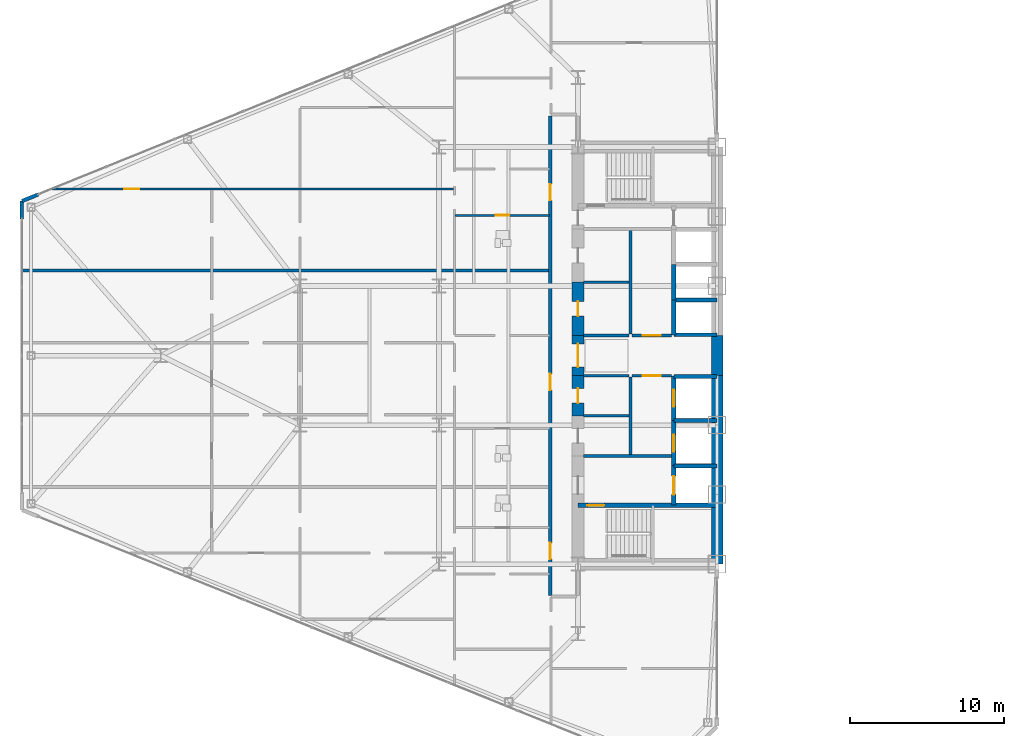
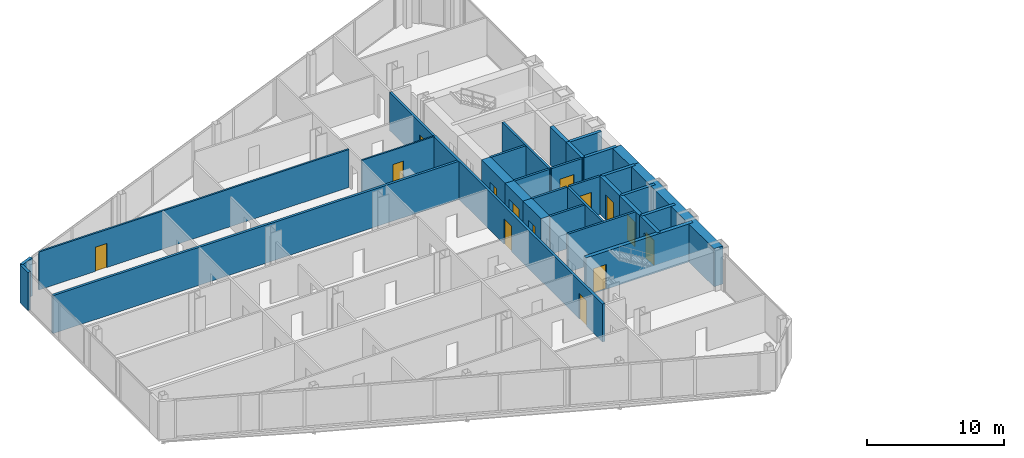
# One storey, part 18 of 25: 31 walls, 14 doors, 14 openings.
"""IFC4 building model written with IfcOpenShell, lengths in metres."""

import ifcopenshell
import ifcopenshell.guid

model = None  # the IFC model being written
_history = None  # IfcOwnerHistory: only IFC2X3 demands one
_inside = {}  # id of a spatial element -> (the spatial element, [elements in it])
_under = {}  # id of a project, library or spatial element -> (it, [spatial elements below it])
_declared = {}  # id of a project -> (the project, [libraries it declares])
_typed = {}  # id of a type object -> (the type object, [elements of that type])
_made_of = {}  # id of a material, layer set ... -> (it, [elements and type objects made of it])


def new_model(schema):
    """Start an empty IFC model of exactly this schema.

    Asked for "IFC4X3", IfcOpenShell would pick the latest addendum, in which some entities
    have other attributes; the version numbers below select the first issue.
    IFC2X3 requires an IfcOwnerHistory on every rooted entity: one is made here for all.
    """
    global model, _history
    if schema == "IFC4X3":
        model = ifcopenshell.file(schema_version=(4, 3, 0, 0))
    else:
        model = ifcopenshell.file(schema=schema)
    _inside.clear()
    _under.clear()
    _declared.clear()
    _typed.clear()
    _made_of.clear()
    _history = None
    if model.schema == "IFC2X3":
        org = make("IfcOrganization", Name="unknown")
        user = make(
            "IfcPersonAndOrganization",
            ThePerson=make("IfcPerson", FamilyName="unknown"),
            TheOrganization=org,
        )
        app = make(
            "IfcApplication",
            ApplicationDeveloper=org,
            Version="unknown",
            ApplicationFullName="unknown",
            ApplicationIdentifier="unknown",
        )
        _history = make(
            "IfcOwnerHistory",
            OwningUser=user,
            OwningApplication=app,
            ChangeAction="ADDED",
            CreationDate=0,
        )
    return model


def make(cls, **values):
    """One entity of the class cls with the attributes given. An attribute that is None is left unset."""
    return model.create_entity(
        cls, **{name: value for name, value in values.items() if value is not None}
    )


def rooted(cls, **values):
    """An entity with a GlobalId (a new one), such as an element, a storey or a relation."""
    return make(cls, GlobalId=ifcopenshell.guid.new(), OwnerHistory=_history, **values)


def si_unit(unit_type, name, prefix=None):
    """IfcSIUnit, for example si_unit("LENGTHUNIT", "METRE", prefix="MILLI")."""
    return make("IfcSIUnit", UnitType=unit_type, Prefix=prefix, Name=name)


def assignment(units):
    """IfcUnitAssignment: the units of a project."""
    return None if units is None else make("IfcUnitAssignment", Units=units)


def point(xyz):
    """IfcCartesianPoint."""
    return None if xyz is None else make("IfcCartesianPoint", Coordinates=xyz)


def direction(xyz):
    """IfcDirection."""
    return None if xyz is None else make("IfcDirection", DirectionRatios=xyz)


def frame(location, z_axis=None, x_axis=None):
    """IfcAxis2Placement3D, a coordinate frame: its origin and axes. An axis left out is left unset."""
    return make(
        "IfcAxis2Placement3D",
        Location=point(location),
        Axis=direction(z_axis),
        RefDirection=direction(x_axis),
    )


def frame_2d(location, x_axis=None):
    """IfcAxis2Placement2D, a coordinate frame in the plane: its origin and x axis."""
    return make(
        "IfcAxis2Placement2D", Location=point(location), RefDirection=direction(x_axis)
    )


def origin():
    """The frame at (0, 0, 0) with its axes left unset."""
    return frame((0.0, 0.0, 0.0))


def place(relative_to, where):
    """IfcLocalPlacement: puts the frame where relative to a parent placement (None: the world)."""
    return make(
        "IfcLocalPlacement", PlacementRelTo=relative_to, RelativePlacement=where
    )


def context(
    kind, dimensions, precision=None, world=None, true_north=None, identifier=None
):
    """IfcGeometricRepresentationContext, for example the 3D "Model" context."""
    return make(
        "IfcGeometricRepresentationContext",
        ContextIdentifier=identifier,
        ContextType=kind,
        CoordinateSpaceDimension=dimensions,
        Precision=precision,
        WorldCoordinateSystem=world,
        TrueNorth=true_north,
    )


def subcontext(parent, identifier, kind, view, scale=None):
    """IfcGeometricRepresentationSubContext, for example "Body" below "Model"."""
    return make(
        "IfcGeometricRepresentationSubContext",
        ContextIdentifier=identifier,
        ContextType=kind,
        ParentContext=parent,
        TargetScale=scale,
        TargetView=view,
    )


def project(units=None, contexts=None):
    """IfcProject with its units and contexts."""
    return rooted(
        "IfcProject",
        Name="project",
        RepresentationContexts=contexts,
        UnitsInContext=assignment(units),
    )


def spatial(cls, under=None, at=None, **own):
    """A site, building, storey or space (cls), placed at a placement, below another one or the project."""
    s = rooted(cls, ObjectPlacement=at, **own)
    if under is not None:
        _under.setdefault(under.id(), (under, []))[1].append(s)
    return s


def profile(cls, at=None, kind="AREA", **sizes):
    """A parametric profile (cls). Its sizes go by their IFC names, for example OverallWidth=200.0."""
    return make(cls, ProfileType=kind, Position=at, **sizes)


def rectangle(**sizes):
    """IfcRectangleProfileDef."""
    return profile("IfcRectangleProfileDef", **sizes)


def extrude(swept, where, along, depth):
    """IfcExtrudedAreaSolid: the profile swept, set in the frame where, extruded along a direction by depth."""
    return make(
        "IfcExtrudedAreaSolid",
        SweptArea=swept,
        Position=where,
        ExtrudedDirection=direction(along),
        Depth=depth,
    )


def shape(context_of_items, identifier, shape_type, items):
    """IfcShapeRepresentation: the items that make up one representation, for example the "Body"."""
    return make(
        "IfcShapeRepresentation",
        ContextOfItems=context_of_items,
        RepresentationIdentifier=identifier,
        RepresentationType=shape_type,
        Items=items,
    )


def source(mapping_origin, context_of_items, identifier, shape_type, items):
    """IfcRepresentationMap: a shape defined once, which mapped items show again and again."""
    return make(
        "IfcRepresentationMap",
        MappingOrigin=mapping_origin,
        MappedRepresentation=shape(context_of_items, identifier, shape_type, items),
    )


def transform(
    local_origin,
    x_axis=None,
    y_axis=None,
    z_axis=None,
    scale=None,
    scale2=None,
    scale3=None,
    uniform=True,
):
    """IfcCartesianTransformationOperator3D, or its non-uniform kind. x_axis, y_axis, z_axis: its Axis1, 2, 3."""
    if uniform:
        return make(
            "IfcCartesianTransformationOperator3D",
            Axis1=direction(x_axis),
            Axis2=direction(y_axis),
            LocalOrigin=point(local_origin),
            Scale=scale,
            Axis3=direction(z_axis),
        )
    return make(
        "IfcCartesianTransformationOperator3DnonUniform",
        Axis1=direction(x_axis),
        Axis2=direction(y_axis),
        LocalOrigin=point(local_origin),
        Scale=scale,
        Axis3=direction(z_axis),
        Scale2=scale2,
        Scale3=scale3,
    )


def mapped(mapping_source, mapping_target):
    """IfcMappedItem: shows the shape of a source again, moved by a transform."""
    return make(
        "IfcMappedItem", MappingSource=mapping_source, MappingTarget=mapping_target
    )


def material(Name=None, Category=None):
    """IfcMaterial."""
    return make("IfcMaterial", Name=Name, Category=Category)


def layer(
    of_material, thickness, ventilated=None, Name=None, Category=None, Priority=None
):
    """IfcMaterialLayer: one layer of a wall or slab, of a material (None: an air gap)."""
    return make(
        "IfcMaterialLayer",
        Material=of_material,
        LayerThickness=thickness,
        IsVentilated=ventilated,
        Name=Name,
        Category=Category,
        Priority=Priority,
    )


def layer_set(layers, Name=None):
    """IfcMaterialLayerSet."""
    return make("IfcMaterialLayerSet", MaterialLayers=layers, LayerSetName=Name)


def made_of(thing, what):
    """Note that an element or type object is made of a material, layer set ...; save() writes the relation."""
    if what is not None:
        _made_of.setdefault(what.id(), (what, []))[1].append(thing)
    return thing


def type_object(cls, material=None, **own):
    """A type object (cls), such as IfcWallType, which elements share."""
    return made_of(rooted(cls, **own), material)


def type_shapes(of_type, sources):
    """Give a type object the sources (RepresentationMaps) that its elements show as mapped items."""
    of_type.RepresentationMaps = sources


def element(
    cls,
    number,
    at=None,
    inside=None,
    cuts=None,
    type_object=None,
    material=None,
    context=None,
    identifier="Body",
    shape_type=None,
    held_by="IfcProductDefinitionShape",
    body=None,
    shapes=None,
    **own,
):
    """One element of the class cls, such as IfcWall. Its Tag is "e" and its number.

    at: its placement. inside: the storey or other place that contains it. cuts: it is an
    opening in that element (IfcRelVoidsElement). A single representation is given by context,
    identifier, shape_type and body (its items); several are given by shapes. held_by: the class
    of the entity that holds the representations. save() writes the other relations.
    """
    e = rooted(cls, Tag="e%d" % number, ObjectPlacement=at, **own)
    if body is not None:
        shapes = [shape(context, identifier, shape_type, body)]
    if shapes is not None:
        e.Representation = make(held_by, Representations=shapes)
    if inside is not None:
        _inside.setdefault(inside.id(), (inside, []))[1].append(e)
    if cuts is not None:
        rooted(
            "IfcRelVoidsElement", RelatingBuildingElement=cuts, RelatedOpeningElement=e
        )
    if type_object is not None:
        _typed.setdefault(type_object.id(), (type_object, []))[1].append(e)
    return made_of(e, material)


def fill(opening, filler):
    """IfcRelFillsElement: the door or window that sits in an opening."""
    return rooted(
        "IfcRelFillsElement",
        RelatingOpeningElement=opening,
        RelatedBuildingElement=filler,
    )


def aggregate(whole, parts):
    """IfcRelAggregates: a whole, such as a stair, and the parts it consists of."""
    return rooted("IfcRelAggregates", RelatingObject=whole, RelatedObjects=parts)


def save(model, path):
    """Write the relations noted so far, then the file.

    IfcRelAggregates (storeys below a building ...), IfcRelContainedInSpatialStructure (elements
    in a storey), IfcRelDefinesByType, IfcRelAssociatesMaterial and IfcRelDeclares: one each for
    every whole, place, type object, material and project.
    """
    for whole, parts in _under.values():
        aggregate(whole, parts)
    for where, things in _inside.values():
        rooted(
            "IfcRelContainedInSpatialStructure",
            RelatedElements=things,
            RelatingStructure=where,
        )
    for kind, things in _typed.values():
        rooted("IfcRelDefinesByType", RelatedObjects=things, RelatingType=kind)
    for what, things in _made_of.values():
        rooted("IfcRelAssociatesMaterial", RelatedObjects=things, RelatingMaterial=what)
    for by, libraries in _declared.values():
        rooted("IfcRelDeclares", RelatingContext=by, RelatedDefinitions=libraries)
    model.write(path)


model = new_model("IFC4")

# Units and contexts
model_context = context("Model", 3, precision=1e-05, world=origin(), true_north=direction((0.0, 1.0)))
body_context = subcontext(model_context, "Body", "Model", "MODEL_VIEW")
ifc_project = project(units=[si_unit("LENGTHUNIT", "METRE"), si_unit("AREAUNIT", "SQUARE_METRE"), si_unit("VOLUMEUNIT", "CUBIC_METRE"), si_unit("PLANEANGLEUNIT", "RADIAN"), si_unit("MASSUNIT", "GRAM", prefix="KILO")], contexts=[model_context])

# Site, building, storey
site_placement = place(None, origin())
site = spatial("IfcSite", under=ifc_project, at=site_placement, CompositionType="ELEMENT")
building_placement = place(site_placement, origin())
building = spatial("IfcBuilding", under=site, at=building_placement, Name="Seokmaru Belvedere", CompositionType="ELEMENT")
storey_placement = place(building_placement, frame((0.0, 0.0, 51.300048828125)))
storey = spatial("IfcBuildingStorey", under=building, at=storey_placement, Name="L13", CompositionType="ELEMENT", Elevation=51.300048828125)

# Wall, opening, door
ifc_material_1 = material(Name="Fire-Rated Gypsum Shaftwall")
ifc_layer_1 = layer(ifc_material_1, 0.14990234375)
ifc_layer_set_1 = layer_set([ifc_layer_1], Name="Fire-Rated Gypsum Shaftwall")
wall_type_1 = type_object("IfcWallType", Name="Apartment Fire-Acoustic Room Partition 150", PredefinedType="PARTITIONING", material=ifc_layer_set_1)
wall_1_placement = place(storey_placement, frame((-70.613037109375, 10.780029296875, 0.0), z_axis=(0.0, 0.0, 1.0), x_axis=(1.0, 0.0, 0.0)))
wall_1 = element("IfcWall", 1, at=wall_1_placement, inside=storey, type_object=wall_type_1, Name="L13 Interior Partition 026", PredefinedType="PARTITIONING", context=body_context, shape_type="SweptSolid", body=[
    extrude(rectangle(XDim=26.06298828125, YDim=0.14990234375, at=frame_2d((13.031494140625, 0.0))), origin(), (0.0, 0.0, 1.0), 3.3798828125),
])
opening_1_placement = place(wall_1_placement, frame((4.748779296875, 0.0, 0.0)))
opening_1 = element("IfcOpeningElement", 2, at=opening_1_placement, cuts=wall_1, Name="Opening D05", PredefinedType="OPENING", context=body_context, shape_type="SweptSolid", body=[
    extrude(rectangle(XDim=0.949951171875, YDim=2.14990234375, at=frame_2d((0.47509765625, 1.074951171875))), frame((0.0, 0.0849609375, 0.0), z_axis=(0.0, -1.0, 0.0), x_axis=(1.0, 0.0, 0.0)), (0.0, 0.0, 1.0), 0.169921875),
])
ifc_material_2 = material(Name="Engineered White Oak Timber", Category="wood")
door_type_1 = type_object("IfcDoorType", Name="Apartment Interior Fire-Rated Oak Door 950x2150", OperationType="NOTDEFINED", PredefinedType="DOOR", material=ifc_material_2)
shared_shape_1 = source(origin(), body_context, "Body", "SweptSolid", [
    extrude(rectangle(XDim=0.949951171875, YDim=2.14990234375, at=frame_2d((0.47509765625, 1.074951171875))), frame((0.0, 0.02490234375, 0.0), z_axis=(0.0, -1.0, 0.0), x_axis=(1.0, 0.0, 0.0)), (0.0, 0.0, 1.0), 0.050048828125),
])
type_shapes(door_type_1, [shared_shape_1])
door_1_placement = place(opening_1_placement, origin())
door_1 = element("IfcDoor", 3, at=door_1_placement, inside=storey, type_object=door_type_1, Name="L13 Interior Door 032", OperationType="SINGLE_SWING_LEFT", OverallHeight=2.14990234375, OverallWidth=0.949951171875, PredefinedType="DOOR", context=body_context, shape_type="MappedRepresentation", body=[
    mapped(shared_shape_1, transform((0.0, 0.0, 0.0), scale=1.0)),
])
fill(opening_1, door_1)

# Walls
ifc_layer_2 = layer(ifc_material_1, 0.179931640625)
ifc_layer_set_2 = layer_set([ifc_layer_2], Name="Fire-Rated Gypsum Shaftwall")
wall_type_2 = type_object("IfcWallType", Name="Core Service Fire Partition 180", PredefinedType="PARTITIONING", material=ifc_layer_set_2)
wall_2_placement = place(storey_placement, frame((-36.14990234375, -6.5, 0.0), z_axis=(0.0, 0.0, 1.0), x_axis=(1.0, 0.0, 0.0)))
element("IfcWall", 4, at=wall_2_placement, inside=storey, type_object=wall_type_2, Name="L13 West Firefighting Lobby Partition", PredefinedType="PARTITIONING", context=body_context, shape_type="SweptSolid", body=[
    extrude(rectangle(XDim=5.699951171875, YDim=0.179931640625, at=frame_2d((2.85009765625, 0.0))), origin(), (0.0, 0.0, 1.0), 3.3798828125),
])
wall_3_placement = place(storey_placement, frame((-33.10009765625, -6.419921875, 0.0), z_axis=(0.0, 0.0, 1.0), x_axis=(0.0, 1.0, 0.0)))
element("IfcWall", 5, at=wall_3_placement, inside=storey, type_object=wall_type_2, Name="L13 West South Core Service Back Wall", PredefinedType="PARTITIONING", context=body_context, shape_type="SweptSolid", body=[
    extrude(rectangle(XDim=5.0400390625, YDim=0.179931640625, at=frame_2d((2.52001953125, 0.0))), origin(), (0.0, 0.0, 1.0), 3.3798828125),
])
wall_4_placement = place(storey_placement, frame((-33.10009765625, 1.3798828125, 0.0), z_axis=(0.0, 0.0, 1.0), x_axis=(0.0, 1.0, 0.0)))
element("IfcWall", 6, at=wall_4_placement, inside=storey, type_object=wall_type_2, Name="L13 West North Core Service Back Wall", PredefinedType="PARTITIONING", context=body_context, shape_type="SweptSolid", body=[
    extrude(rectangle(XDim=6.740234375, YDim=0.179931640625, at=frame_2d((3.3701171875, 0.0))), origin(), (0.0, 0.0, 1.0), 3.3798828125),
])

# Wall, opening, door
wall_5_placement = place(storey_placement, frame((-33.02001953125, -1.300048828125, 0.0), z_axis=(0.0, 0.0, 1.0), x_axis=(1.0, 0.0, 0.0)))
wall_5 = element("IfcWall", 7, at=wall_5_placement, inside=storey, type_object=wall_type_2, Name="L13 West South Lift Lobby Foyer Wall", PredefinedType="PARTITIONING", context=body_context, shape_type="SweptSolid", body=[
    extrude(rectangle(XDim=2.570068359375, YDim=0.179931640625, at=frame_2d((1.28515625, 0.0))), origin(), (0.0, 0.0, 1.0), 3.3798828125),
])
opening_2_placement = place(wall_5_placement, frame((0.7099609375, 0.0, 0.0)))
opening_2 = element("IfcOpeningElement", 8, at=opening_2_placement, cuts=wall_5, Name="Opening D02", PredefinedType="OPENING", context=body_context, shape_type="SweptSolid", body=[
    extrude(rectangle(XDim=1.14990234375, YDim=2.199951171875, at=frame_2d((0.574951171875, 1.10009765625))), frame((0.0, 0.10009765625, 0.0), z_axis=(0.0, -1.0, 0.0), x_axis=(1.0, 0.0, 0.0)), (0.0, 0.0, 1.0), 0.199951171875),
])
ifc_material_3 = material(Name="Fire-Rated Steel Leaf", Category="steel")
door_type_2 = type_object("IfcDoorType", Name="Lobby and Vestibule Fire Door 1150x2200", OperationType="NOTDEFINED", PredefinedType="DOOR", material=ifc_material_3)
shared_shape_2 = source(origin(), body_context, "Body", "SweptSolid", [
    extrude(rectangle(XDim=1.14990234375, YDim=2.199951171875, at=frame_2d((0.574951171875, 1.10009765625))), frame((0.0, 0.02490234375, 0.0), z_axis=(0.0, -1.0, 0.0), x_axis=(1.0, 0.0, 0.0)), (0.0, 0.0, 1.0), 0.050048828125),
])
type_shapes(door_type_2, [shared_shape_2])
door_2_placement = place(opening_2_placement, origin())
door_2 = element("IfcDoor", 9, at=door_2_placement, inside=storey, type_object=door_type_2, Name="L13 West South Core Foyer Door", OperationType="SINGLE_SWING_LEFT", OverallHeight=2.199951171875, OverallWidth=1.14990234375, PredefinedType="DOOR", context=body_context, shape_type="MappedRepresentation", body=[
    mapped(shared_shape_2, transform((0.0, 0.0, 0.0), scale=1.0)),
])
fill(opening_2, door_2)

wall_6_placement = place(storey_placement, frame((-33.02001953125, 1.300048828125, 0.0), z_axis=(0.0, 0.0, 1.0), x_axis=(1.0, 0.0, 0.0)))
wall_6 = element("IfcWall", 10, at=wall_6_placement, inside=storey, type_object=wall_type_2, Name="L13 West North Lift Lobby Foyer Wall", PredefinedType="PARTITIONING", context=body_context, shape_type="SweptSolid", body=[
    extrude(rectangle(XDim=2.570068359375, YDim=0.179931640625, at=frame_2d((1.28515625, 0.0))), origin(), (0.0, 0.0, 1.0), 3.3798828125),
])
opening_3_placement = place(wall_6_placement, frame((0.7099609375, 0.0, 0.0)))
opening_3 = element("IfcOpeningElement", 11, at=opening_3_placement, cuts=wall_6, Name="Opening D02", PredefinedType="OPENING", context=body_context, shape_type="SweptSolid", body=[
    extrude(rectangle(XDim=1.14990234375, YDim=2.199951171875, at=frame_2d((0.574951171875, 1.10009765625))), frame((0.0, 0.10009765625, 0.0), z_axis=(0.0, -1.0, 0.0), x_axis=(1.0, 0.0, 0.0)), (0.0, 0.0, 1.0), 0.199951171875),
])
door_3_placement = place(opening_3_placement, origin())
door_3 = element("IfcDoor", 12, at=door_3_placement, inside=storey, type_object=door_type_2, Name="L13 West North Lift Lobby Door", OperationType="SINGLE_SWING_RIGHT", OverallHeight=2.199951171875, OverallWidth=1.14990234375, PredefinedType="DOOR", context=body_context, shape_type="MappedRepresentation", body=[
    mapped(shared_shape_2, transform((0.0, 0.0, 0.0), scale=1.0)),
])
fill(opening_3, door_3)

# Walls
for number, where, z_axis, x_axis, name in (
    (13, (-36.14990234375, -1.300048828125, 0.0), (0.0, 0.0, 1.0), (1.0, 0.0, 0.0), "L13 West Foyer Side Wall S"),
    (14, (-36.14990234375, 1.300048828125, 0.0), (0.0, 0.0, 1.0), (1.0, 0.0, 0.0), "L13 West Foyer Side Wall N"),
    (15, (-36.14990234375, -3.89990234375, 0.0), (0.0, 0.0, 1.0), (1.0, 0.0, 0.0), "L13 West Core Service Partition 1"),
    (16, (-36.14990234375, 4.75, 0.0), (0.0, 0.0, 1.0), (1.0, 0.0, 0.0), "L13 West Core Service Partition 2"),
):
    element("IfcWall", number, at=place(storey_placement, frame(where, z_axis=z_axis, x_axis=x_axis)), inside=storey, type_object=wall_type_2, Name=name, PredefinedType="PARTITIONING", context=body_context, shape_type="SweptSolid", body=[
        extrude(rectangle(XDim=2.949951171875, YDim=0.179931640625, at=frame_2d((1.47509765625, 0.0))), origin(), (0.0, 0.0, 1.0), 3.3798828125),
    ])
ifc_material_4 = material(Name="Concrete C50 (50 MPa)", Category="concrete")
ifc_layer_3 = layer(ifc_material_4, 0.25)
ifc_layer_set_3 = layer_set([ifc_layer_3], Name="Concrete C50 (50 MPa)")
wall_type_3 = type_object("IfcWallType", Name="Hoistway Transverse Concrete Divider Wall 250", PredefinedType="SHEAR", material=ifc_layer_set_3)
for number, where, z_axis, x_axis, name in (
    (17, (-30.300048828125, -7.14990234375, 0.0), (0.0, 0.0, 1.0), (1.0, 0.0, 0.0), "L13 West Hoistway Divider Core Wall 1"),
    (18, (-30.300048828125, -4.199951171875, 0.0), (0.0, 0.0, 1.0), (1.0, 0.0, 0.0), "L13 West Hoistway Divider Core Wall 2"),
    (19, (-30.300048828125, -1.35009765625, 0.0), (0.0, 0.0, 1.0), (1.0, 0.0, 0.0), "L13 West Hoistway Divider Core Wall 3"),
    (20, (-30.300048828125, 1.35009765625, 0.0), (0.0, 0.0, 1.0), (1.0, 0.0, 0.0), "L13 West Hoistway Divider Core Wall 4"),
    (21, (-30.300048828125, 3.60009765625, 0.0), (0.0, 0.0, 1.0), (1.0, 0.0, 0.0), "L13 West Hoistway Divider Core Wall 5"),
):
    element("IfcWall", number, at=place(storey_placement, frame(where, z_axis=z_axis, x_axis=x_axis)), inside=storey, type_object=wall_type_3, Name=name, PredefinedType="SHEAR", context=body_context, shape_type="SweptSolid", body=[
        extrude(rectangle(XDim=2.800048828125, YDim=0.25, at=frame_2d((1.39990234375, 0.0))), origin(), (0.0, 0.0, 1.0), 3.3798828125),
    ])
ifc_layer_4 = layer(ifc_material_1, 0.199951171875)
ifc_layer_set_4 = layer_set([ifc_layer_4], Name="Fire-Rated Gypsum Shaftwall")
wall_type_4 = type_object("IfcWallType", Name="Inter-Tenancy Fire Compartment Partition 200", PredefinedType="PARTITIONING", material=ifc_layer_set_4)
wall_7_placement = place(storey_placement, frame((-72.5048828125, 5.5, 0.0), z_axis=(0.0, 0.0, 1.0), x_axis=(1.0, 0.0, 0.0)))
element("IfcWall", 22, at=wall_7_placement, inside=storey, type_object=wall_type_4, Name="L13 Interior Partition 022", PredefinedType="PARTITIONING", context=body_context, shape_type="SweptSolid", body=[
    extrude(rectangle(XDim=34.125, YDim=0.199951171875, at=frame_2d((17.0625, 0.0))), origin(), (0.0, 0.0, 1.0), 3.3798828125),
])

# Wall, openings, doors
wall_8_placement = place(storey_placement, frame((-38.300048828125, -15.514892578125, 0.0), z_axis=(0.0, 0.0, 1.0), x_axis=(0.0, 1.0, 0.0)))
wall_8 = element("IfcWall", 23, at=wall_8_placement, inside=storey, type_object=wall_type_4, Name="L13 Interior Partition 038", PredefinedType="PARTITIONING", context=body_context, shape_type="SweptSolid", body=[
    extrude(rectangle(XDim=31.02978515625, YDim=0.199951171875, at=frame_2d((15.514892578125, 0.0))), origin(), (0.0, 0.0, 1.0), 3.3798828125),
])
opening_4_placement = place(wall_8_placement, frame((2.344970703125, 0.0, 0.0)))
opening_4 = element("IfcOpeningElement", 24, at=opening_4_placement, cuts=wall_8, Name="Opening D03", PredefinedType="OPENING", context=body_context, shape_type="SweptSolid", body=[
    extrude(rectangle(XDim=1.050048828125, YDim=2.25, at=frame_2d((0.52490234375, 1.125))), frame((0.0, 0.10986328125, 0.0), z_axis=(0.0, -1.0, 0.0), x_axis=(1.0, 0.0, 0.0)), (0.0, 0.0, 1.0), 0.219970703125),
])
opening_5_placement = place(wall_8_placement, frame((13.280029296875, 0.0, 0.0)))
opening_5 = element("IfcOpeningElement", 25, at=opening_5_placement, cuts=wall_8, Name="Opening D03", PredefinedType="OPENING", context=body_context, shape_type="SweptSolid", body=[
    extrude(rectangle(XDim=1.050048828125, YDim=2.25, at=frame_2d((0.52490234375, 1.125))), frame((0.0, 0.10986328125, 0.0), z_axis=(0.0, -1.0, 0.0), x_axis=(1.0, 0.0, 0.0)), (0.0, 0.0, 1.0), 0.219970703125),
])
opening_6_placement = place(wall_8_placement, frame((25.5673828125, 0.0, 0.0)))
opening_6 = element("IfcOpeningElement", 26, at=opening_6_placement, cuts=wall_8, Name="Opening D03", PredefinedType="OPENING", context=body_context, shape_type="SweptSolid", body=[
    extrude(rectangle(XDim=1.050048828125, YDim=2.25, at=frame_2d((0.52490234375, 1.125))), frame((0.0, 0.10986328125, 0.0), z_axis=(0.0, -1.0, 0.0), x_axis=(1.0, 0.0, 0.0)), (0.0, 0.0, 1.0), 0.219970703125),
])
door_type_3 = type_object("IfcDoorType", Name="Apartment Entrance Fire Door 1050x2250", OperationType="NOTDEFINED", PredefinedType="DOOR", material=ifc_material_3)
shared_shape_3 = source(origin(), body_context, "Body", "SweptSolid", [
    extrude(rectangle(XDim=1.050048828125, YDim=2.25, at=frame_2d((0.52490234375, 1.125))), frame((0.0, 0.02490234375, 0.0), z_axis=(0.0, -1.0, 0.0), x_axis=(1.0, 0.0, 0.0)), (0.0, 0.0, 1.0), 0.050048828125),
])
type_shapes(door_type_3, [shared_shape_3])
door_4_placement = place(opening_4_placement, origin())
door_4 = element("IfcDoor", 27, at=door_4_placement, inside=storey, type_object=door_type_3, Name="L13 Interior Door 001", OperationType="SINGLE_SWING_RIGHT", OverallHeight=2.25, OverallWidth=1.050048828125, PredefinedType="DOOR", context=body_context, shape_type="MappedRepresentation", body=[
    mapped(shared_shape_3, transform((0.0, 0.0, 0.0), scale=1.0)),
])
fill(opening_4, door_4)
door_5_placement = place(opening_5_placement, origin())
door_5 = element("IfcDoor", 28, at=door_5_placement, inside=storey, type_object=door_type_3, Name="L13 Interior Door 013", OperationType="SINGLE_SWING_LEFT", OverallHeight=2.25, OverallWidth=1.050048828125, PredefinedType="DOOR", context=body_context, shape_type="MappedRepresentation", body=[
    mapped(shared_shape_3, transform((0.0, 0.0, 0.0), scale=1.0)),
])
fill(opening_5, door_5)
door_6_placement = place(opening_6_placement, origin())
door_6 = element("IfcDoor", 29, at=door_6_placement, inside=storey, type_object=door_type_3, Name="L13 Interior Door 025", OperationType="SINGLE_SWING_RIGHT", OverallHeight=2.25, OverallWidth=1.050048828125, PredefinedType="DOOR", context=body_context, shape_type="MappedRepresentation", body=[
    mapped(shared_shape_3, transform((0.0, 0.0, 0.0), scale=1.0)),
])
fill(opening_6, door_6)

# Wall, opening, door
ifc_layer_5 = layer(ifc_material_4, 0.300048828125)
ifc_layer_set_5 = layer_set([ifc_layer_5], Name="Concrete C50 (50 MPa)")
wall_type_5 = type_object("IfcWallType", Name="Internal Core Stair and Hoistway Wall 300", PredefinedType="SHEAR", material=ifc_layer_set_5)
wall_9_placement = place(storey_placement, frame((-36.5, -9.699951171875, 0.0), z_axis=(0.0, 0.0, 1.0), x_axis=(1.0, 0.0, 0.0)))
wall_9 = element("IfcWall", 30, at=wall_9_placement, inside=storey, type_object=wall_type_5, Name="L13 West Stair ST-1 Enclosure Wall", PredefinedType="SHEAR", context=body_context, shape_type="SweptSolid", body=[
    extrude(rectangle(XDim=9.0, YDim=0.300048828125, at=frame_2d((4.5, 0.0))), origin(), (0.0, 0.0, 1.0), 3.3798828125),
])
opening_7_placement = place(wall_9_placement, frame((0.60009765625, 0.0, 0.0)))
opening_7 = element("IfcOpeningElement", 31, at=opening_7_placement, cuts=wall_9, Name="Opening D01", PredefinedType="OPENING", context=body_context, shape_type="SweptSolid", body=[
    extrude(rectangle(XDim=1.10009765625, YDim=2.199951171875, at=frame_2d((0.550048828125, 1.10009765625))), frame((0.0, 0.16015625, 0.0), z_axis=(0.0, -1.0, 0.0), x_axis=(1.0, 0.0, 0.0)), (0.0, 0.0, 1.0), 0.320068359375),
])
door_type_4 = type_object("IfcDoorType", Name="Special Escape Stair Smokeproof Fire Door 1100x2200", OperationType="NOTDEFINED", PredefinedType="DOOR", material=ifc_material_3)
shared_shape_4 = source(origin(), body_context, "Body", "SweptSolid", [
    extrude(rectangle(XDim=1.10009765625, YDim=2.199951171875, at=frame_2d((0.550048828125, 1.10009765625))), frame((0.0, 0.02490234375, 0.0), z_axis=(0.0, -1.0, 0.0), x_axis=(1.0, 0.0, 0.0)), (0.0, 0.0, 1.0), 0.050048828125),
])
type_shapes(door_type_4, [shared_shape_4])
door_7_placement = place(opening_7_placement, frame((1.10009765625, 0.0, 0.0), z_axis=(0.0, 0.0, 1.0), x_axis=(-1.0, 0.0, 0.0)))
door_7 = element("IfcDoor", 32, at=door_7_placement, inside=storey, type_object=door_type_4, Name="L13 West Special Escape Stair ST-1 Door", OperationType="SINGLE_SWING_LEFT", OverallHeight=2.199951171875, OverallWidth=1.10009765625, PredefinedType="DOOR", context=body_context, shape_type="MappedRepresentation", body=[
    mapped(shared_shape_4, transform((0.0, 0.0, 0.0), scale=1.0)),
])
fill(opening_7, door_7)

wall_10_placement = place(storey_placement, frame((-30.300048828125, -9.679931640625, 0.0), z_axis=(0.0, 0.0, 1.0), x_axis=(0.0, 1.0, 0.0)))
wall_10 = element("IfcWall", 33, at=wall_10_placement, inside=storey, type_object=wall_type_5, Name="L13 West Firefighting Lift Shaft Front Wall", PredefinedType="SHEAR", context=body_context, shape_type="SweptSolid", body=[
    extrude(rectangle(XDim=2.559814453125, YDim=0.300048828125, at=frame_2d((1.27978515625, 0.0))), origin(), (0.0, 0.0, 1.0), 3.3798828125),
])
opening_8_placement = place(wall_10_placement, frame((0.679931640625, 0.0, 0.0)))
opening_8 = element("IfcOpeningElement", 34, at=opening_8_placement, cuts=wall_10, Name="Opening LD2", PredefinedType="OPENING", context=body_context, shape_type="SweptSolid", body=[
    extrude(rectangle(XDim=1.199951171875, YDim=2.25, at=frame_2d((0.60009765625, 1.125))), frame((0.0, 0.16015625, 0.0), z_axis=(0.0, -1.0, 0.0), x_axis=(1.0, 0.0, 0.0)), (0.0, 0.0, 1.0), 0.320068359375),
])
ifc_material_5 = material(Name="Stainless Steel 316", Category="steel")
door_type_5 = type_object("IfcDoorType", Name="Firefighting Lift Sliding Landing Door 1200x2250", OperationType="DOUBLE_DOOR_SLIDING", PredefinedType="DOOR", material=ifc_material_5)
shared_shape_5 = source(origin(), body_context, "Body", "SweptSolid", [
    extrude(rectangle(XDim=1.199951171875, YDim=2.25, at=frame_2d((0.60009765625, 1.125))), frame((0.0, 0.02490234375, 0.0), z_axis=(0.0, -1.0, 0.0), x_axis=(1.0, 0.0, 0.0)), (0.0, 0.0, 1.0), 0.050048828125),
])
type_shapes(door_type_5, [shared_shape_5])
door_8_placement = place(opening_8_placement, origin())
door_8 = element("IfcDoor", 35, at=door_8_placement, inside=storey, type_object=door_type_5, Name="L13 West Firefighting Lift Landing Door", OperationType="DOUBLE_DOOR_SLIDING", OverallHeight=2.25, OverallWidth=1.199951171875, PredefinedType="DOOR", context=body_context, shape_type="MappedRepresentation", body=[
    mapped(shared_shape_5, transform((0.0, 0.0, 0.0), scale=1.0)),
])
fill(opening_8, door_8)

wall_11_placement = place(storey_placement, frame((-30.300048828125, -7.1201171875, 0.0), z_axis=(0.0, 0.0, 1.0), x_axis=(0.0, 1.0, 0.0)))
wall_11 = element("IfcWall", 36, at=wall_11_placement, inside=storey, type_object=wall_type_5, Name="L13 West Low-Rise Lift PL-1 Front Wall", PredefinedType="SHEAR", context=body_context, shape_type="SweptSolid", body=[
    extrude(rectangle(XDim=2.920166015625, YDim=0.300048828125, at=frame_2d((1.4599609375, 0.0))), origin(), (0.0, 0.0, 1.0), 3.3798828125),
])
opening_9_placement = place(wall_11_placement, frame((0.909912109375, 0.0, 0.0)))
opening_9 = element("IfcOpeningElement", 37, at=opening_9_placement, cuts=wall_11, Name="Opening LD1", PredefinedType="OPENING", context=body_context, shape_type="SweptSolid", body=[
    extrude(rectangle(XDim=1.10009765625, YDim=2.199951171875, at=frame_2d((0.550048828125, 1.10009765625))), frame((0.0, 0.16015625, 0.0), z_axis=(0.0, -1.0, 0.0), x_axis=(1.0, 0.0, 0.0)), (0.0, 0.0, 1.0), 0.320068359375),
])
door_type_6 = type_object("IfcDoorType", Name="Passenger Lift Sliding Landing Door 1100x2200", OperationType="DOUBLE_DOOR_SLIDING", PredefinedType="DOOR", material=ifc_material_5)
shared_shape_6 = source(origin(), body_context, "Body", "SweptSolid", [
    extrude(rectangle(XDim=1.10009765625, YDim=2.199951171875, at=frame_2d((0.550048828125, 1.10009765625))), frame((0.0, 0.02490234375, 0.0), z_axis=(0.0, -1.0, 0.0), x_axis=(1.0, 0.0, 0.0)), (0.0, 0.0, 1.0), 0.050048828125),
])
type_shapes(door_type_6, [shared_shape_6])
door_9_placement = place(opening_9_placement, origin())
door_9 = element("IfcDoor", 38, at=door_9_placement, inside=storey, type_object=door_type_6, Name="L13 West Low-Rise Lift PL-1 Landing Door", OperationType="DOUBLE_DOOR_SLIDING", OverallHeight=2.199951171875, OverallWidth=1.10009765625, PredefinedType="DOOR", context=body_context, shape_type="MappedRepresentation", body=[
    mapped(shared_shape_6, transform((0.0, 0.0, 0.0), scale=1.0)),
])
fill(opening_9, door_9)

wall_12_placement = place(storey_placement, frame((-30.300048828125, -4.199951171875, 0.0), z_axis=(0.0, 0.0, 1.0), x_axis=(0.0, 1.0, 0.0)))
wall_12 = element("IfcWall", 39, at=wall_12_placement, inside=storey, type_object=wall_type_5, Name="L13 West Low-Rise Lift PL-2 Front Wall", PredefinedType="SHEAR", context=body_context, shape_type="SweptSolid", body=[
    extrude(rectangle(XDim=2.8798828125, YDim=0.300048828125, at=frame_2d((1.43994140625, 0.0))), origin(), (0.0, 0.0, 1.0), 3.3798828125),
])
opening_10_placement = place(wall_12_placement, frame((0.889892578125, 0.0, 0.0)))
opening_10 = element("IfcOpeningElement", 40, at=opening_10_placement, cuts=wall_12, Name="Opening LD1", PredefinedType="OPENING", context=body_context, shape_type="SweptSolid", body=[
    extrude(rectangle(XDim=1.10009765625, YDim=2.199951171875, at=frame_2d((0.550048828125, 1.10009765625))), frame((0.0, 0.16015625, 0.0), z_axis=(0.0, -1.0, 0.0), x_axis=(1.0, 0.0, 0.0)), (0.0, 0.0, 1.0), 0.320068359375),
])
door_10_placement = place(opening_10_placement, origin())
door_10 = element("IfcDoor", 41, at=door_10_placement, inside=storey, type_object=door_type_6, Name="L13 West Low-Rise Lift PL-2 Landing Door", OperationType="DOUBLE_DOOR_SLIDING", OverallHeight=2.199951171875, OverallWidth=1.10009765625, PredefinedType="DOOR", context=body_context, shape_type="MappedRepresentation", body=[
    mapped(shared_shape_6, transform((0.0, 0.0, 0.0), scale=1.0)),
])
fill(opening_10, door_10)

# Walls
wall_13_placement = place(storey_placement, frame((-30.300048828125, 1.320068359375, 0.0), z_axis=(0.0, 0.0, 1.0), x_axis=(0.0, 1.0, 0.0)))
element("IfcWall", 42, at=wall_13_placement, inside=storey, type_object=wall_type_5, Name="L13 West North Hoistway Wall PH1", PredefinedType="SHEAR", context=body_context, shape_type="SweptSolid", body=[
    extrude(rectangle(XDim=2.280029296875, YDim=0.300048828125, at=frame_2d((1.14013671875, 0.0))), origin(), (0.0, 0.0, 1.0), 3.3798828125),
])
wall_14_placement = place(storey_placement, frame((-30.300048828125, 3.60009765625, 0.0), z_axis=(0.0, 0.0, 1.0), x_axis=(0.0, 1.0, 0.0)))
element("IfcWall", 43, at=wall_14_placement, inside=storey, type_object=wall_type_5, Name="L13 West North Hoistway Wall PH2", PredefinedType="SHEAR", context=body_context, shape_type="SweptSolid", body=[
    extrude(rectangle(XDim=2.2998046875, YDim=0.300048828125, at=frame_2d((1.14990234375, 0.0))), origin(), (0.0, 0.0, 1.0), 3.3798828125),
])
ifc_material_6 = material(Name="Concrete C60 (60 MPa)", Category="concrete")
ifc_layer_6 = layer(ifc_material_6, 0.75)
ifc_layer_set_6 = layer_set([ifc_layer_6], Name="Concrete C60 (60 MPa)")
wall_type_6 = type_object("IfcWallType", Name="Lower Tower Reinforced Concrete Core Wall 750", PredefinedType="SHEAR", material=ifc_layer_set_6)
wall_15_placement = place(storey_placement, frame((-27.5, -13.5, 0.0), z_axis=(0.0, 0.0, 1.0), x_axis=(0.0, 1.0, 0.0)))
element("IfcWall", 44, at=wall_15_placement, inside=storey, type_object=wall_type_6, Name="L13 West Portal Spine Core Wall South", PredefinedType="SHEAR", context=body_context, shape_type="SweptSolid", body=[
    extrude(rectangle(XDim=12.199951171875, YDim=0.75, at=frame_2d((6.10009765625, 0.0))), origin(), (0.0, 0.0, 1.0), 3.3798828125),
])
wall_16_placement = place(storey_placement, frame((-27.5, -1.300048828125, 0.0), z_axis=(0.0, 0.0, 1.0), x_axis=(0.0, 1.0, 0.0)))
element("IfcWall", 45, at=wall_16_placement, inside=storey, type_object=wall_type_6, Name="L13 West Portal Spine Core Wall Center", PredefinedType="SHEAR", context=body_context, shape_type="SweptSolid", body=[
    extrude(rectangle(XDim=2.60009765625, YDim=0.75, at=frame_2d((1.300048828125, 0.0))), origin(), (0.0, 0.0, 1.0), 3.3798828125),
])

# Wall, opening, door
wall_17_placement = place(storey_placement, frame((-36.5, -1.300048828125, 0.0), z_axis=(0.0, 0.0, 1.0), x_axis=(0.0, 1.0, 0.0)))
wall_17 = element("IfcWall", 46, at=wall_17_placement, inside=storey, type_object=wall_type_6, Name="L13 West West Core Wall FOY", PredefinedType="SHEAR", context=body_context, shape_type="SweptSolid", body=[
    extrude(rectangle(XDim=2.60009765625, YDim=0.75, at=frame_2d((1.300048828125, 0.0))), origin(), (0.0, 0.0, 1.0), 3.3798828125),
])
opening_11_placement = place(wall_17_placement, frame((0.550048828125, 0.0, 0.0)))
opening_11 = element("IfcOpeningElement", 47, at=opening_11_placement, cuts=wall_17, Name="Opening D08", PredefinedType="OPENING", context=body_context, shape_type="SweptSolid", body=[
    extrude(rectangle(XDim=1.5, YDim=2.300048828125, at=frame_2d((0.75, 1.14990234375))), frame((0.0, 0.385009765625, 0.0), z_axis=(0.0, -1.0, 0.0), x_axis=(1.0, 0.0, 0.0)), (0.0, 0.0, 1.0), 0.77001953125),
])
door_type_7 = type_object("IfcDoorType", Name="Cross-Corridor Compartment Double Fire Door 1500x2300", OperationType="DOUBLE_SWING_LEFT", PredefinedType="DOOR", material=ifc_material_3)
shared_shape_7 = source(origin(), body_context, "Body", "SweptSolid", [
    extrude(rectangle(XDim=1.5, YDim=2.300048828125, at=frame_2d((0.75, 1.14990234375))), frame((0.0, 0.02490234375, 0.0), z_axis=(0.0, -1.0, 0.0), x_axis=(1.0, 0.0, 0.0)), (0.0, 0.0, 1.0), 0.050048828125),
])
type_shapes(door_type_7, [shared_shape_7])
door_11_placement = place(opening_11_placement, origin())
door_11 = element("IfcDoor", 48, at=door_11_placement, inside=storey, type_object=door_type_7, Name="L13 West Core Foyer Compartment Door", OperationType="DOUBLE_SWING_LEFT", OverallHeight=2.300048828125, OverallWidth=1.5, PredefinedType="DOOR", context=body_context, shape_type="MappedRepresentation", body=[
    mapped(shared_shape_7, transform((0.0, 0.0, 0.0), scale=1.0)),
])
fill(opening_11, door_11)

wall_18_placement = place(storey_placement, frame((-36.5, -3.89990234375, 0.0), z_axis=(0.0, 0.0, 1.0), x_axis=(0.0, 1.0, 0.0)))
wall_18 = element("IfcWall", 49, at=wall_18_placement, inside=storey, type_object=wall_type_6, Name="L13 West West Core Wall CS2", PredefinedType="SHEAR", context=body_context, shape_type="SweptSolid", body=[
    extrude(rectangle(XDim=2.599853515625, YDim=0.75, at=frame_2d((1.2998046875, 0.0))), origin(), (0.0, 0.0, 1.0), 3.3798828125),
])
opening_12_placement = place(wall_18_placement, frame((0.824951171875, 0.0, 0.0)))
opening_12 = element("IfcOpeningElement", 50, at=opening_12_placement, cuts=wall_18, Name="Opening D04", PredefinedType="OPENING", context=body_context, shape_type="SweptSolid", body=[
    extrude(rectangle(XDim=0.949951171875, YDim=2.14990234375, at=frame_2d((0.47509765625, 1.074951171875))), frame((0.0, 0.385009765625, 0.0), z_axis=(0.0, -1.0, 0.0), x_axis=(1.0, 0.0, 0.0)), (0.0, 0.0, 1.0), 0.77001953125),
])
door_type_8 = type_object("IfcDoorType", Name="Core Service Room Fire Door 950x2150", OperationType="NOTDEFINED", PredefinedType="DOOR", material=ifc_material_3)
shared_shape_8 = source(origin(), body_context, "Body", "SweptSolid", [
    extrude(rectangle(XDim=0.949951171875, YDim=2.14990234375, at=frame_2d((0.47509765625, 1.074951171875))), frame((0.0, 0.02490234375, 0.0), z_axis=(0.0, -1.0, 0.0), x_axis=(1.0, 0.0, 0.0)), (0.0, 0.0, 1.0), 0.050048828125),
])
type_shapes(door_type_8, [shared_shape_8])
door_12_placement = place(opening_12_placement, origin())
door_12 = element("IfcDoor", 51, at=door_12_placement, inside=storey, type_object=door_type_8, Name="L13 West Core Service Room Door 2", OperationType="SINGLE_SWING_RIGHT", OverallHeight=2.14990234375, OverallWidth=0.949951171875, PredefinedType="DOOR", context=body_context, shape_type="MappedRepresentation", body=[
    mapped(shared_shape_8, transform((0.0, 0.0, 0.0), scale=1.0)),
])
fill(opening_12, door_12)

wall_19_placement = place(storey_placement, frame((-36.5, 1.300048828125, 0.0), z_axis=(0.0, 0.0, 1.0), x_axis=(0.0, 1.0, 0.0)))
wall_19 = element("IfcWall", 52, at=wall_19_placement, inside=storey, type_object=wall_type_6, Name="L13 West West Core Wall CS3", PredefinedType="SHEAR", context=body_context, shape_type="SweptSolid", body=[
    extrude(rectangle(XDim=3.449951171875, YDim=0.75, at=frame_2d((1.72509765625, 0.0))), origin(), (0.0, 0.0, 1.0), 3.3798828125),
])
opening_13_placement = place(wall_19_placement, frame((1.25, 0.0, 0.0)))
opening_13 = element("IfcOpeningElement", 53, at=opening_13_placement, cuts=wall_19, Name="Opening D04", PredefinedType="OPENING", context=body_context, shape_type="SweptSolid", body=[
    extrude(rectangle(XDim=0.949951171875, YDim=2.14990234375, at=frame_2d((0.47509765625, 1.074951171875))), frame((0.0, 0.385009765625, 0.0), z_axis=(0.0, -1.0, 0.0), x_axis=(1.0, 0.0, 0.0)), (0.0, 0.0, 1.0), 0.77001953125),
])
door_13_placement = place(opening_13_placement, origin())
door_13 = element("IfcDoor", 54, at=door_13_placement, inside=storey, type_object=door_type_8, Name="L13 West Core Service Room Door 3", OperationType="SINGLE_SWING_LEFT", OverallHeight=2.14990234375, OverallWidth=0.949951171875, PredefinedType="DOOR", context=body_context, shape_type="MappedRepresentation", body=[
    mapped(shared_shape_8, transform((0.0, 0.0, 0.0), scale=1.0)),
])
fill(opening_13, door_13)

ifc_layer_7 = layer(ifc_material_1, 0.1298828125)
ifc_layer_set_7 = layer_set([ifc_layer_7], Name="Fire-Rated Gypsum Shaftwall")
wall_type_7 = type_object("IfcWallType", Name="Moisture-Resistant Fire-Rated Bathroom Partition 130", PredefinedType="PARTITIONING", material=ifc_layer_set_7)
wall_20_placement = place(storey_placement, frame((-44.449951171875, 9.080078125, 0.0), z_axis=(0.0, 0.0, 1.0), x_axis=(1.0, 0.0, 0.0)))
wall_20 = element("IfcWall", 55, at=wall_20_placement, inside=storey, type_object=wall_type_7, Name="L13 Interior Partition 024", PredefinedType="PARTITIONING", context=body_context, shape_type="SweptSolid", body=[
    extrude(rectangle(XDim=6.099853515625, YDim=0.1298828125, at=frame_2d((3.0498046875, 0.0))), origin(), (0.0, 0.0, 1.0), 3.3798828125),
])
opening_14_placement = place(wall_20_placement, frame((2.610107421875, 0.0, 0.0)))
opening_14 = element("IfcOpeningElement", 56, at=opening_14_placement, cuts=wall_20, Name="Opening D06", PredefinedType="OPENING", context=body_context, shape_type="SweptSolid", body=[
    extrude(rectangle(XDim=0.8798828125, YDim=2.10009765625, at=frame_2d((0.43994140625, 1.050048828125))), frame((0.0, 0.074951171875, 0.0), z_axis=(0.0, -1.0, 0.0), x_axis=(1.0, 0.0, 0.0)), (0.0, 0.0, 1.0), 0.14990234375),
])
door_type_9 = type_object("IfcDoorType", Name="Bathroom and Restroom Fire-Rated Door 880x2100", OperationType="NOTDEFINED", PredefinedType="DOOR", material=ifc_material_2)
shared_shape_9 = source(origin(), body_context, "Body", "SweptSolid", [
    extrude(rectangle(XDim=0.8798828125, YDim=2.10009765625, at=frame_2d((0.43994140625, 1.050048828125))), frame((0.0, 0.02490234375, 0.0), z_axis=(0.0, -1.0, 0.0), x_axis=(1.0, 0.0, 0.0)), (0.0, 0.0, 1.0), 0.050048828125),
])
type_shapes(door_type_9, [shared_shape_9])
door_14_placement = place(opening_14_placement, origin())
door_14 = element("IfcDoor", 57, at=door_14_placement, inside=storey, type_object=door_type_9, Name="L13 Interior Door 026", OperationType="SINGLE_SWING_LEFT", OverallHeight=2.10009765625, OverallWidth=0.8798828125, PredefinedType="DOOR", context=body_context, shape_type="MappedRepresentation", body=[
    mapped(shared_shape_9, transform((0.0, 0.0, 0.0), scale=1.0)),
])
fill(opening_14, door_14)

# Walls
ifc_material_7 = material(Name="Anodised Bronze Aluminium", Category="aluminium")
ifc_layer_8 = layer(ifc_material_7, 0.239990234375)
ifc_layer_set_8 = layer_set([ifc_layer_8], Name="Anodised Bronze Aluminium")
wall_type_8 = type_object("IfcWallType", Name="Tower Corner Spandrel Closure Wall 240", PredefinedType="SOLIDWALL", material=ifc_layer_set_8)
for number, where, z_axis, x_axis, name in (
    (58, (-71.43408203125, 10.431396484375, 0.0), (0.0, 0.0, 1.0), (-0.927007103665, -0.375043770452, 0.0), "L13 W Corner Closure Pier 3B"),
    (59, (-72.5, 9.989990234375, 0.0), (0.0, 0.0, 1.0), (0.0, -1.0, 0.0), "L13 W Corner Closure Pier 4A"),
):
    element("IfcWall", number, at=place(storey_placement, frame(where, z_axis=z_axis, x_axis=x_axis)), inside=storey, type_object=wall_type_8, Name=name, PredefinedType="SOLIDWALL", context=body_context, shape_type="SweptSolid", body=[
        extrude(rectangle(XDim=1.139892578125, YDim=0.239990234375, at=frame_2d((0.56982421875, 0.0))), origin(), (0.0, 0.0, 1.0), 3.3798828125),
    ])

save(model, "model.ifc")
